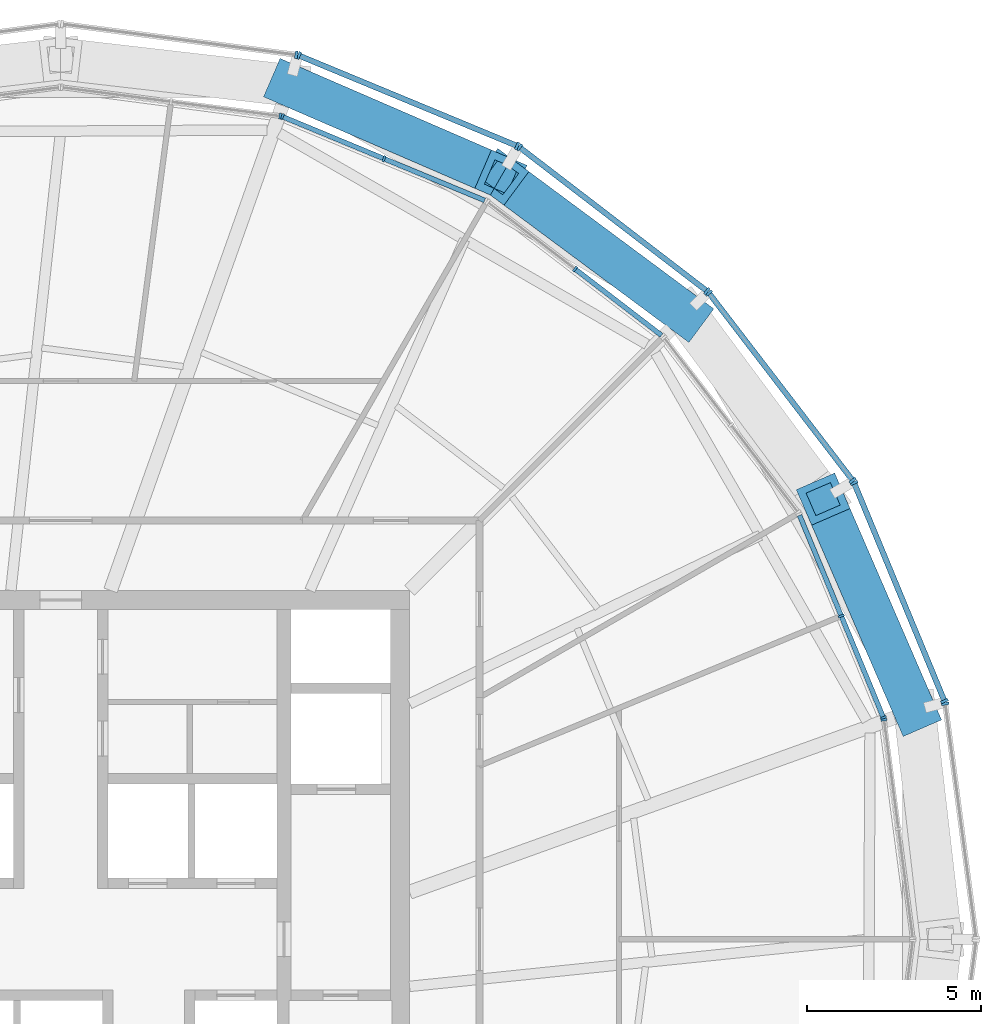
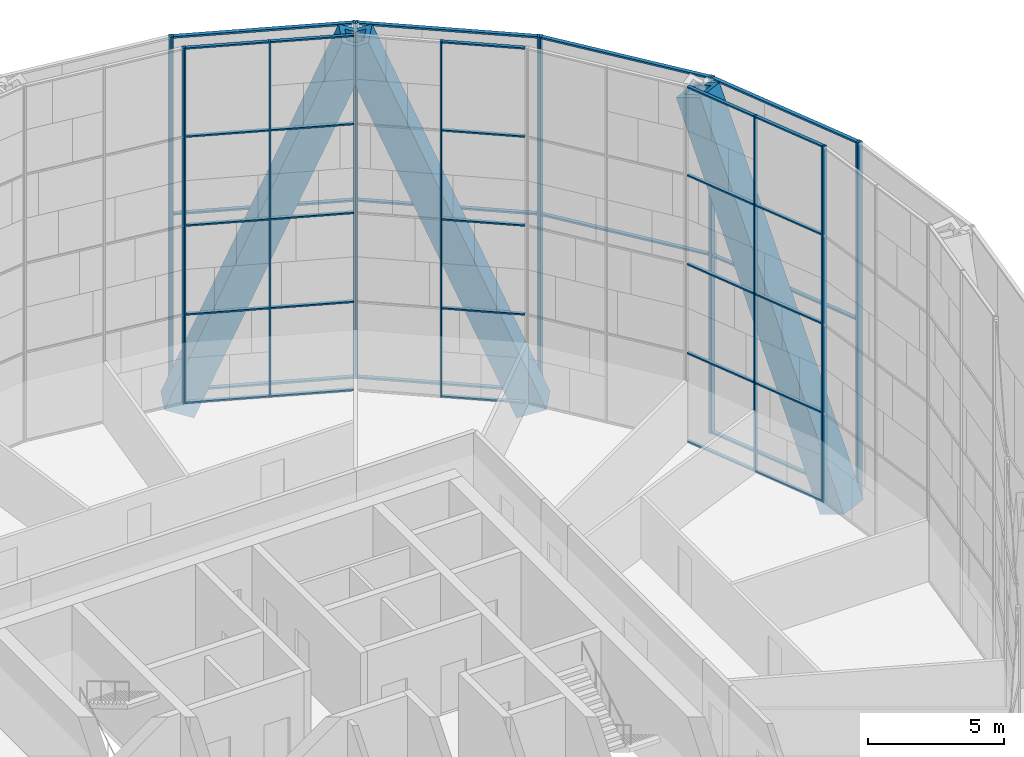
# One storey, part 11 of 28: 56 members, 11 elements without a shape of their own.
"""IFC4 building model written with IfcOpenShell, lengths in metres."""

from ifc_helpers import new_model, si_unit, direction, frame, origin, origin_2d, place, context, subcontext, project, spatial, rectangle, hollow_rectangle, extrude, material, material_profile, profile_set, type_object, element, aggregate, save


model = new_model("IFC4")

# Units and contexts
model_context = context("Model", 3, precision=1e-05, world=origin(), true_north=direction((0.0, 1.0)))
body_context = subcontext(model_context, "Body", "Model", "MODEL_VIEW")
ifc_project = project(units=[si_unit("LENGTHUNIT", "METRE"), si_unit("AREAUNIT", "SQUARE_METRE"), si_unit("VOLUMEUNIT", "CUBIC_METRE"), si_unit("PLANEANGLEUNIT", "RADIAN"), si_unit("MASSUNIT", "GRAM", prefix="KILO")], contexts=[model_context])

# Site, building, storey
site_placement = place(None, origin())
site = spatial("IfcSite", under=ifc_project, at=site_placement, CompositionType="ELEMENT")
building_placement = place(site_placement, origin())
building = spatial("IfcBuilding", under=site, at=building_placement, Name="Golbaran Civic Tower", CompositionType="ELEMENT")
storey_placement = place(building_placement, frame((0.0, 0.0, 134.0)))
storey = spatial("IfcBuildingStorey", under=building, at=storey_placement, Name="L32", CompositionType="ELEMENT", Elevation=134.0)

# Members
ifc_material_1 = material(Name="Steel S355", Category="steel")
ifc_material_profile_1 = material_profile(ifc_material_1, hollow_rectangle(XDim=1.199951171875, YDim=1.199951171875, WallThickness=0.219970703125, at=origin_2d()), Name="BOX 1200x1200x220")
ifc_profile_set_1 = profile_set([ifc_material_profile_1], Name="Steel S355")
member_type_1 = type_object("IfcMemberType", Name="DIAGRID DIAGONAL BOX 1200x1200x220", PredefinedType="BRACE", material=ifc_profile_set_1)
for number, where, z_axis, x_axis, name in (
    (1, (24.4765625, 6.55859375, -0.7099609375), (-0.151560578437, 0.350021010135, 0.924399634102), (-0.917665769882, -0.397353161289, 0.0), "Diagonal D07-00R L32-L36"),
    (2, (17.91796875, 17.91796875, -0.7099609375), (-0.306265484914, 0.227361182302, 0.924396205927), (-0.59607001815, -0.802932458843, 0.0), "Diagonal D07-01R L32-L36"),
    (3, (6.55859375, 24.4765625, -0.7099609375), (0.350021010135, -0.151560578437, 0.924399634102), (0.397353161289, 0.917665769882, 0.0), "Diagonal D07-02L L32-L36"),
):
    element("IfcMember", number, at=place(storey_placement, frame(where, z_axis=z_axis, x_axis=x_axis)), inside=storey, type_object=member_type_1, Name=name, PredefinedType="BRACE", context=body_context, shape_type="SweptSolid", body=[
        extrude(hollow_rectangle(XDim=1.199951171875, YDim=1.199951171875, WallThickness=0.219970703125, at=origin_2d()), origin(), (0.0, 0.0, 1.0), 17.30859375),
    ])

# Curtain wall, member
ifc_material_2 = material(Name="Aluminium and glass", Category="aluminium")
curtain_wall_type_1 = type_object("IfcCurtainWallType", Name="INNER SKIN CURTAIN WALL", PredefinedType="NOTDEFINED", material=ifc_material_2)
curtain_wall_1_placement = place(storey_placement, origin())
curtain_wall_1 = element("IfcCurtainWall", 4, at=curtain_wall_1_placement, inside=storey, type_object=curtain_wall_type_1, Name="Inner skin L32 facet 1 CW1", ObjectType="INNER SKIN", PredefinedType="USERDEFINED")
ifc_material_3 = material(Name="Aluminium", Category="aluminium")
ifc_material_profile_2 = material_profile(ifc_material_3, rectangle(XDim=0.179931640625, YDim=0.06494140625, at=origin_2d()), Name="INNER SKIN CURTAIN WALL MULLION")
ifc_profile_set_2 = profile_set([ifc_material_profile_2], Name="Aluminium")
member_type_2 = type_object("IfcMemberType", Name="INNER SKIN CURTAIN WALL MULLION", PredefinedType="MULLION", material=ifc_profile_set_2)
member_1_placement = place(storey_placement, frame((23.596923828125, 6.28955078125, 0.0), z_axis=(0.0, 0.0, 1.0), x_axis=(-0.991444861372, -0.130526192237, 0.0)))
member_1 = element("IfcMember", 5, at=member_1_placement, type_object=member_type_2, Name="CW1 mullion 3", PredefinedType="MULLION", context=body_context, shape_type="SweptSolid", body=[
    extrude(rectangle(XDim=0.179931640625, YDim=0.06494140625, at=origin_2d()), origin(), (0.0, 0.0, 1.0), 16.0),
])
aggregate(curtain_wall_1, [member_1])

# Curtain wall, members
curtain_wall_2_placement = place(storey_placement, origin())
curtain_wall_2 = element("IfcCurtainWall", 6, at=curtain_wall_2_placement, inside=storey, type_object=curtain_wall_type_1, Name="Inner skin L32 facet 2 CW1", ObjectType="INNER SKIN", PredefinedType="USERDEFINED")
member_2_placement = place(storey_placement, frame((23.580322265625, 6.3515625, 0.0), z_axis=(0.0, 0.0, 1.0), x_axis=(-0.923879532485, -0.38268343243, 0.0)))
member_2 = element("IfcMember", 7, at=member_2_placement, type_object=member_type_2, Name="CW1 mullion 1", PredefinedType="MULLION", context=body_context, shape_type="SweptSolid", body=[
    extrude(rectangle(XDim=0.179931640625, YDim=0.06494140625, at=origin_2d()), origin(), (0.0, 0.0, 1.0), 16.0),
])
member_3_placement = place(storey_placement, frame((22.372802734375, 9.26708984375, 0.0), z_axis=(0.0, 0.0, 1.0), x_axis=(-0.923879532485, -0.38268343243, 0.0)))
member_3 = element("IfcMember", 8, at=member_3_placement, type_object=member_type_2, Name="CW1 mullion 2", PredefinedType="MULLION", context=body_context, shape_type="SweptSolid", body=[
    extrude(rectangle(XDim=0.179931640625, YDim=0.06494140625, at=origin_2d()), origin(), (0.0, 0.0, 1.0), 16.0),
])

# Curtain wall, member
curtain_wall_3_placement = place(storey_placement, origin())
curtain_wall_3 = element("IfcCurtainWall", 9, at=curtain_wall_3_placement, inside=storey, type_object=curtain_wall_type_1, Name="Inner skin L32 facet 4 CW1", ObjectType="INNER SKIN", PredefinedType="USERDEFINED")
member_4_placement = place(storey_placement, frame((14.74169921875, 19.2119140625, 0.0), z_axis=(0.0, 0.0, 1.0), x_axis=(-0.60876142905, -0.793353340259, 0.0)))
member_4 = element("IfcMember", 10, at=member_4_placement, type_object=member_type_2, Name="CW1 mullion 2", PredefinedType="MULLION", context=body_context, shape_type="SweptSolid", body=[
    extrude(rectangle(XDim=0.179931640625, YDim=0.06494140625, at=origin_2d()), origin(), (0.0, 0.0, 1.0), 16.0),
])

# Curtain wall, members
curtain_wall_4_placement = place(storey_placement, origin())
curtain_wall_4 = element("IfcCurtainWall", 11, at=curtain_wall_4_placement, inside=storey, type_object=curtain_wall_type_1, Name="Inner skin L32 facet 5 CW1", ObjectType="INNER SKIN", PredefinedType="USERDEFINED")
member_5_placement = place(storey_placement, frame((9.26708984375, 22.372802734375, 0.0), z_axis=(0.0, 0.0, 1.0), x_axis=(-0.38268343243, -0.923879532485, 0.0)))
member_5 = element("IfcMember", 12, at=member_5_placement, type_object=member_type_2, Name="CW1 mullion 2", PredefinedType="MULLION", context=body_context, shape_type="SweptSolid", body=[
    extrude(rectangle(XDim=0.179931640625, YDim=0.06494140625, at=origin_2d()), origin(), (0.0, 0.0, 1.0), 16.0),
])
member_6_placement = place(storey_placement, frame((6.3515625, 23.580322265625, 0.0), z_axis=(0.0, 0.0, 1.0), x_axis=(-0.38268343243, -0.923879532485, 0.0)))
member_6 = element("IfcMember", 13, at=member_6_placement, type_object=member_type_2, Name="CW1 mullion 3", PredefinedType="MULLION", context=body_context, shape_type="SweptSolid", body=[
    extrude(rectangle(XDim=0.179931640625, YDim=0.06494140625, at=origin_2d()), origin(), (0.0, 0.0, 1.0), 16.0),
])

# Curtain wall, member
curtain_wall_5_placement = place(storey_placement, origin())
curtain_wall_5 = element("IfcCurtainWall", 14, at=curtain_wall_5_placement, inside=storey, type_object=curtain_wall_type_1, Name="Inner skin L32 facet 6 CW1", ObjectType="INNER SKIN", PredefinedType="USERDEFINED")
member_7_placement = place(storey_placement, frame((6.28955078125, 23.596923828125, 0.0), z_axis=(0.0, 0.0, 1.0), x_axis=(-0.130526192237, -0.991444861372, 0.0)))
member_7 = element("IfcMember", 15, at=member_7_placement, type_object=member_type_2, Name="CW1 mullion 1", PredefinedType="MULLION", context=body_context, shape_type="SweptSolid", body=[
    extrude(rectangle(XDim=0.179931640625, YDim=0.06494140625, at=origin_2d()), origin(), (0.0, 0.0, 1.0), 16.0),
])
aggregate(curtain_wall_5, [member_7])

# Member
ifc_material_profile_3 = material_profile(ifc_material_3, rectangle(XDim=0.139892578125, YDim=0.06494140625, at=origin_2d()), Name="INNER SKIN CURTAIN WALL TRANSOM")
ifc_profile_set_3 = profile_set([ifc_material_profile_3], Name="Aluminium")
member_type_3 = type_object("IfcMemberType", Name="INNER SKIN CURTAIN WALL TRANSOM", PredefinedType="USERDEFINED", material=ifc_profile_set_3)
member_8_placement = place(storey_placement, frame((23.56787109375, 6.381591796875, 0.032470703125), z_axis=(-0.382640157244, 0.923897456466, 0.0), x_axis=(-0.923897456466, -0.382640157244, 0.0)))
member_8 = element("IfcMember", 16, at=member_8_placement, type_object=member_type_3, Name="CW1 transom 1.1", ObjectType="TRANSOM", PredefinedType="USERDEFINED", context=body_context, shape_type="SweptSolid", body=[
    extrude(rectangle(XDim=0.139892578125, YDim=0.06494140625, at=origin_2d()), origin(), (0.0, 0.0, 1.0), 3.090576171875),
])

member_9_placement = place(storey_placement, frame((23.56787109375, 6.381591796875, 4.0), z_axis=(-0.382640157244, 0.923897456466, 0.0), x_axis=(-0.923897456466, -0.382640157244, 0.0)))
member_9 = element("IfcMember", 17, at=member_9_placement, type_object=member_type_3, Name="CW1 transom 1.2", ObjectType="TRANSOM", PredefinedType="USERDEFINED", context=body_context, shape_type="SweptSolid", body=[
    extrude(rectangle(XDim=0.139892578125, YDim=0.06494140625, at=origin_2d()), origin(), (0.0, 0.0, 1.0), 3.090576171875),
])

member_10_placement = place(storey_placement, frame((23.56787109375, 6.381591796875, 8.0), z_axis=(-0.382640157244, 0.923897456466, 0.0), x_axis=(-0.923897456466, -0.382640157244, 0.0)))
member_10 = element("IfcMember", 18, at=member_10_placement, type_object=member_type_3, Name="CW1 transom 1.3", ObjectType="TRANSOM", PredefinedType="USERDEFINED", context=body_context, shape_type="SweptSolid", body=[
    extrude(rectangle(XDim=0.139892578125, YDim=0.06494140625, at=origin_2d()), origin(), (0.0, 0.0, 1.0), 3.090576171875),
])

member_11_placement = place(storey_placement, frame((23.56787109375, 6.381591796875, 12.0), z_axis=(-0.382640157244, 0.923897456466, 0.0), x_axis=(-0.923897456466, -0.382640157244, 0.0)))
member_11 = element("IfcMember", 19, at=member_11_placement, type_object=member_type_3, Name="CW1 transom 1.4", ObjectType="TRANSOM", PredefinedType="USERDEFINED", context=body_context, shape_type="SweptSolid", body=[
    extrude(rectangle(XDim=0.139892578125, YDim=0.06494140625, at=origin_2d()), origin(), (0.0, 0.0, 1.0), 3.090576171875),
])

member_12_placement = place(storey_placement, frame((23.56787109375, 6.381591796875, 15.967529296875), z_axis=(-0.382640157244, 0.923897456466, 0.0), x_axis=(-0.923897456466, -0.382640157244, 0.0)))
member_12 = element("IfcMember", 20, at=member_12_placement, type_object=member_type_3, Name="CW1 transom 1.5", ObjectType="TRANSOM", PredefinedType="USERDEFINED", context=body_context, shape_type="SweptSolid", body=[
    extrude(rectangle(XDim=0.139892578125, YDim=0.06494140625, at=origin_2d()), origin(), (0.0, 0.0, 1.0), 3.090576171875),
])

member_13_placement = place(storey_placement, frame((22.3603515625, 9.297119140625, 0.032470703125), z_axis=(-0.382735511786, 0.923857958789, 0.0), x_axis=(-0.923857958789, -0.382735511786, 0.0)))
member_13 = element("IfcMember", 21, at=member_13_placement, type_object=member_type_3, Name="CW1 transom 2.1", ObjectType="TRANSOM", PredefinedType="USERDEFINED", context=body_context, shape_type="SweptSolid", body=[
    extrude(rectangle(XDim=0.139892578125, YDim=0.06494140625, at=origin_2d()), origin(), (0.0, 0.0, 1.0), 3.090576171875),
])

member_14_placement = place(storey_placement, frame((22.3603515625, 9.297119140625, 4.0), z_axis=(-0.382735511786, 0.923857958789, 0.0), x_axis=(-0.923857958789, -0.382735511786, 0.0)))
member_14 = element("IfcMember", 22, at=member_14_placement, type_object=member_type_3, Name="CW1 transom 2.2", ObjectType="TRANSOM", PredefinedType="USERDEFINED", context=body_context, shape_type="SweptSolid", body=[
    extrude(rectangle(XDim=0.139892578125, YDim=0.06494140625, at=origin_2d()), origin(), (0.0, 0.0, 1.0), 3.090576171875),
])

member_15_placement = place(storey_placement, frame((22.3603515625, 9.297119140625, 8.0), z_axis=(-0.382735511786, 0.923857958789, 0.0), x_axis=(-0.923857958789, -0.382735511786, 0.0)))
member_15 = element("IfcMember", 23, at=member_15_placement, type_object=member_type_3, Name="CW1 transom 2.3", ObjectType="TRANSOM", PredefinedType="USERDEFINED", context=body_context, shape_type="SweptSolid", body=[
    extrude(rectangle(XDim=0.139892578125, YDim=0.06494140625, at=origin_2d()), origin(), (0.0, 0.0, 1.0), 3.090576171875),
])

member_16_placement = place(storey_placement, frame((22.3603515625, 9.297119140625, 12.0), z_axis=(-0.382735511786, 0.923857958789, 0.0), x_axis=(-0.923857958789, -0.382735511786, 0.0)))
member_16 = element("IfcMember", 24, at=member_16_placement, type_object=member_type_3, Name="CW1 transom 2.4", ObjectType="TRANSOM", PredefinedType="USERDEFINED", context=body_context, shape_type="SweptSolid", body=[
    extrude(rectangle(XDim=0.139892578125, YDim=0.06494140625, at=origin_2d()), origin(), (0.0, 0.0, 1.0), 3.090576171875),
])

member_17_placement = place(storey_placement, frame((22.3603515625, 9.297119140625, 15.967529296875), z_axis=(-0.382735511786, 0.923857958789, 0.0), x_axis=(-0.923857958789, -0.382735511786, 0.0)))
member_17 = element("IfcMember", 25, at=member_17_placement, type_object=member_type_3, Name="CW1 transom 2.5", ObjectType="TRANSOM", PredefinedType="USERDEFINED", context=body_context, shape_type="SweptSolid", body=[
    extrude(rectangle(XDim=0.139892578125, YDim=0.06494140625, at=origin_2d()), origin(), (0.0, 0.0, 1.0), 3.090576171875),
])

aggregate(curtain_wall_2, [member_2, member_3, member_8, member_9, member_10, member_11, member_12, member_13, member_14, member_15, member_16, member_17])

member_18_placement = place(storey_placement, frame((17.219482421875, 17.310546875, 0.032470703125), z_axis=(-0.793325296464, 0.608797974693, 0.0), x_axis=(-0.608797974693, -0.793325296464, 0.0)))
member_18 = element("IfcMember", 26, at=member_18_placement, type_object=member_type_3, Name="CW1 transom 1.1", ObjectType="TRANSOM", PredefinedType="USERDEFINED", context=body_context, shape_type="SweptSolid", body=[
    extrude(rectangle(XDim=0.139892578125, YDim=0.06494140625, at=origin_2d()), origin(), (0.0, 0.0, 1.0), 3.090576171875),
])

member_19_placement = place(storey_placement, frame((17.219482421875, 17.310546875, 4.0), z_axis=(-0.793325296464, 0.608797974693, 0.0), x_axis=(-0.608797974693, -0.793325296464, 0.0)))
member_19 = element("IfcMember", 27, at=member_19_placement, type_object=member_type_3, Name="CW1 transom 1.2", ObjectType="TRANSOM", PredefinedType="USERDEFINED", context=body_context, shape_type="SweptSolid", body=[
    extrude(rectangle(XDim=0.139892578125, YDim=0.06494140625, at=origin_2d()), origin(), (0.0, 0.0, 1.0), 3.090576171875),
])

member_20_placement = place(storey_placement, frame((17.219482421875, 17.310546875, 8.0), z_axis=(-0.793325296464, 0.608797974693, 0.0), x_axis=(-0.608797974693, -0.793325296464, 0.0)))
member_20 = element("IfcMember", 28, at=member_20_placement, type_object=member_type_3, Name="CW1 transom 1.3", ObjectType="TRANSOM", PredefinedType="USERDEFINED", context=body_context, shape_type="SweptSolid", body=[
    extrude(rectangle(XDim=0.139892578125, YDim=0.06494140625, at=origin_2d()), origin(), (0.0, 0.0, 1.0), 3.090576171875),
])

member_21_placement = place(storey_placement, frame((17.219482421875, 17.310546875, 12.0), z_axis=(-0.793325296464, 0.608797974693, 0.0), x_axis=(-0.608797974693, -0.793325296464, 0.0)))
member_21 = element("IfcMember", 29, at=member_21_placement, type_object=member_type_3, Name="CW1 transom 1.4", ObjectType="TRANSOM", PredefinedType="USERDEFINED", context=body_context, shape_type="SweptSolid", body=[
    extrude(rectangle(XDim=0.139892578125, YDim=0.06494140625, at=origin_2d()), origin(), (0.0, 0.0, 1.0), 3.090576171875),
])

member_22_placement = place(storey_placement, frame((17.219482421875, 17.310546875, 15.967529296875), z_axis=(-0.793325296464, 0.608797974693, 0.0), x_axis=(-0.608797974693, -0.793325296464, 0.0)))
member_22 = element("IfcMember", 30, at=member_22_placement, type_object=member_type_3, Name="CW1 transom 1.5", ObjectType="TRANSOM", PredefinedType="USERDEFINED", context=body_context, shape_type="SweptSolid", body=[
    extrude(rectangle(XDim=0.139892578125, YDim=0.06494140625, at=origin_2d()), origin(), (0.0, 0.0, 1.0), 3.090576171875),
])

aggregate(curtain_wall_3, [member_4, member_18, member_19, member_20, member_21, member_22])

member_23_placement = place(storey_placement, frame((12.15234375, 21.177490234375, 0.032470703125), z_axis=(-0.923857958789, 0.382735511786, 0.0), x_axis=(-0.382735511786, -0.923857958789, 0.0)))
member_23 = element("IfcMember", 31, at=member_23_placement, type_object=member_type_3, Name="CW1 transom 1.1", ObjectType="TRANSOM", PredefinedType="USERDEFINED", context=body_context, shape_type="SweptSolid", body=[
    extrude(rectangle(XDim=0.139892578125, YDim=0.06494140625, at=origin_2d()), origin(), (0.0, 0.0, 1.0), 3.090576171875),
])

member_24_placement = place(storey_placement, frame((12.15234375, 21.177490234375, 4.0), z_axis=(-0.923857958789, 0.382735511786, 0.0), x_axis=(-0.382735511786, -0.923857958789, 0.0)))
member_24 = element("IfcMember", 32, at=member_24_placement, type_object=member_type_3, Name="CW1 transom 1.2", ObjectType="TRANSOM", PredefinedType="USERDEFINED", context=body_context, shape_type="SweptSolid", body=[
    extrude(rectangle(XDim=0.139892578125, YDim=0.06494140625, at=origin_2d()), origin(), (0.0, 0.0, 1.0), 3.090576171875),
])

member_25_placement = place(storey_placement, frame((12.15234375, 21.177490234375, 8.0), z_axis=(-0.923857958789, 0.382735511786, 0.0), x_axis=(-0.382735511786, -0.923857958789, 0.0)))
member_25 = element("IfcMember", 33, at=member_25_placement, type_object=member_type_3, Name="CW1 transom 1.3", ObjectType="TRANSOM", PredefinedType="USERDEFINED", context=body_context, shape_type="SweptSolid", body=[
    extrude(rectangle(XDim=0.139892578125, YDim=0.06494140625, at=origin_2d()), origin(), (0.0, 0.0, 1.0), 3.090576171875),
])

member_26_placement = place(storey_placement, frame((12.15234375, 21.177490234375, 12.0), z_axis=(-0.923857958789, 0.382735511786, 0.0), x_axis=(-0.382735511786, -0.923857958789, 0.0)))
member_26 = element("IfcMember", 34, at=member_26_placement, type_object=member_type_3, Name="CW1 transom 1.4", ObjectType="TRANSOM", PredefinedType="USERDEFINED", context=body_context, shape_type="SweptSolid", body=[
    extrude(rectangle(XDim=0.139892578125, YDim=0.06494140625, at=origin_2d()), origin(), (0.0, 0.0, 1.0), 3.090576171875),
])

member_27_placement = place(storey_placement, frame((12.15234375, 21.177490234375, 15.967529296875), z_axis=(-0.923857958789, 0.382735511786, 0.0), x_axis=(-0.382735511786, -0.923857958789, 0.0)))
member_27 = element("IfcMember", 35, at=member_27_placement, type_object=member_type_3, Name="CW1 transom 1.5", ObjectType="TRANSOM", PredefinedType="USERDEFINED", context=body_context, shape_type="SweptSolid", body=[
    extrude(rectangle(XDim=0.139892578125, YDim=0.06494140625, at=origin_2d()), origin(), (0.0, 0.0, 1.0), 3.090576171875),
])

member_28_placement = place(storey_placement, frame((9.237060546875, 22.38525390625, 0.032470703125), z_axis=(-0.923897456466, 0.382640157244, 0.0), x_axis=(-0.382640157244, -0.923897456466, 0.0)))
member_28 = element("IfcMember", 36, at=member_28_placement, type_object=member_type_3, Name="CW1 transom 2.1", ObjectType="TRANSOM", PredefinedType="USERDEFINED", context=body_context, shape_type="SweptSolid", body=[
    extrude(rectangle(XDim=0.139892578125, YDim=0.06494140625, at=origin_2d()), origin(), (0.0, 0.0, 1.0), 3.090576171875),
])

member_29_placement = place(storey_placement, frame((9.237060546875, 22.38525390625, 4.0), z_axis=(-0.923897456466, 0.382640157244, 0.0), x_axis=(-0.382640157244, -0.923897456466, 0.0)))
member_29 = element("IfcMember", 37, at=member_29_placement, type_object=member_type_3, Name="CW1 transom 2.2", ObjectType="TRANSOM", PredefinedType="USERDEFINED", context=body_context, shape_type="SweptSolid", body=[
    extrude(rectangle(XDim=0.139892578125, YDim=0.06494140625, at=origin_2d()), origin(), (0.0, 0.0, 1.0), 3.090576171875),
])

member_30_placement = place(storey_placement, frame((9.237060546875, 22.38525390625, 8.0), z_axis=(-0.923897456466, 0.382640157244, 0.0), x_axis=(-0.382640157244, -0.923897456466, 0.0)))
member_30 = element("IfcMember", 38, at=member_30_placement, type_object=member_type_3, Name="CW1 transom 2.3", ObjectType="TRANSOM", PredefinedType="USERDEFINED", context=body_context, shape_type="SweptSolid", body=[
    extrude(rectangle(XDim=0.139892578125, YDim=0.06494140625, at=origin_2d()), origin(), (0.0, 0.0, 1.0), 3.090576171875),
])

member_31_placement = place(storey_placement, frame((9.237060546875, 22.38525390625, 12.0), z_axis=(-0.923897456466, 0.382640157244, 0.0), x_axis=(-0.382640157244, -0.923897456466, 0.0)))
member_31 = element("IfcMember", 39, at=member_31_placement, type_object=member_type_3, Name="CW1 transom 2.4", ObjectType="TRANSOM", PredefinedType="USERDEFINED", context=body_context, shape_type="SweptSolid", body=[
    extrude(rectangle(XDim=0.139892578125, YDim=0.06494140625, at=origin_2d()), origin(), (0.0, 0.0, 1.0), 3.090576171875),
])

member_32_placement = place(storey_placement, frame((9.237060546875, 22.38525390625, 15.967529296875), z_axis=(-0.923897456466, 0.382640157244, 0.0), x_axis=(-0.382640157244, -0.923897456466, 0.0)))
member_32 = element("IfcMember", 40, at=member_32_placement, type_object=member_type_3, Name="CW1 transom 2.5", ObjectType="TRANSOM", PredefinedType="USERDEFINED", context=body_context, shape_type="SweptSolid", body=[
    extrude(rectangle(XDim=0.139892578125, YDim=0.06494140625, at=origin_2d()), origin(), (0.0, 0.0, 1.0), 3.090576171875),
])

aggregate(curtain_wall_4, [member_5, member_6, member_23, member_24, member_25, member_26, member_27, member_28, member_29, member_30, member_31, member_32])

# Curtain wall, member
curtain_wall_type_2 = type_object("IfcCurtainWallType", Name="OUTER SKIN TERRACOTTA SCREEN", PredefinedType="NOTDEFINED", material=ifc_material_2)
curtain_wall_6_placement = place(storey_placement, origin())
curtain_wall_6 = element("IfcCurtainWall", 41, at=curtain_wall_6_placement, inside=storey, type_object=curtain_wall_type_2, Name="Outer skin L32 facet 1 CW3", ObjectType="OUTER SKIN", PredefinedType="USERDEFINED")
ifc_material_profile_4 = material_profile(ifc_material_3, rectangle(XDim=0.219970703125, YDim=0.080078125, at=origin_2d()), Name="OUTER SKIN TERRACOTTA SCREEN MULLION")
ifc_profile_set_4 = profile_set([ifc_material_profile_4], Name="Aluminium")
member_type_4 = type_object("IfcMemberType", Name="OUTER SKIN TERRACOTTA SCREEN MULLION", PredefinedType="MULLION", material=ifc_profile_set_4)
member_33_placement = place(storey_placement, frame((25.35107421875, 6.751708984375, -0.7099609375), z_axis=(0.0, 0.0, 1.0), x_axis=(-0.991444861376, -0.130526192203, 0.0)))
member_33 = element("IfcMember", 42, at=member_33_placement, type_object=member_type_4, Name="CW3 mullion 2", PredefinedType="MULLION", context=body_context, shape_type="SweptSolid", body=[
    extrude(rectangle(XDim=0.219970703125, YDim=0.080078125, at=origin_2d()), origin(), (0.0, 0.0, 1.0), 16.0),
])
aggregate(curtain_wall_6, [member_33])

# Curtain wall, members
curtain_wall_7_placement = place(storey_placement, origin())
curtain_wall_7 = element("IfcCurtainWall", 43, at=curtain_wall_7_placement, inside=storey, type_object=curtain_wall_type_2, Name="Outer skin L32 facet 2 CW3", ObjectType="OUTER SKIN", PredefinedType="USERDEFINED")
member_34_placement = place(storey_placement, frame((25.33056640625, 6.828369140625, -0.7099609375), z_axis=(0.0, 0.0, 1.0), x_axis=(-0.923879532498, -0.382683432397, 0.0)))
member_34 = element("IfcMember", 44, at=member_34_placement, type_object=member_type_4, Name="CW3 mullion 1", PredefinedType="MULLION", context=body_context, shape_type="SweptSolid", body=[
    extrude(rectangle(XDim=0.219970703125, YDim=0.080078125, at=origin_2d()), origin(), (0.0, 0.0, 1.0), 16.0),
])
member_35_placement = place(storey_placement, frame((22.73974609375, 13.0830078125, -0.7099609375), z_axis=(0.0, 0.0, 1.0), x_axis=(-0.923879532498, -0.382683432397, 0.0)))
member_35 = element("IfcMember", 45, at=member_35_placement, type_object=member_type_4, Name="CW3 mullion 2", PredefinedType="MULLION", context=body_context, shape_type="SweptSolid", body=[
    extrude(rectangle(XDim=0.219970703125, YDim=0.080078125, at=origin_2d()), origin(), (0.0, 0.0, 1.0), 16.0),
])

curtain_wall_8_placement = place(storey_placement, origin())
curtain_wall_8 = element("IfcCurtainWall", 46, at=curtain_wall_8_placement, inside=storey, type_object=curtain_wall_type_2, Name="Outer skin L32 facet 3 CW3", ObjectType="OUTER SKIN", PredefinedType="USERDEFINED")
member_36_placement = place(storey_placement, frame((22.7001953125, 13.15185546875, -0.7099609375), z_axis=(0.0, 0.0, 1.0), x_axis=(-0.79335334027, -0.608761429036, 0.0)))
member_36 = element("IfcMember", 47, at=member_36_placement, type_object=member_type_4, Name="CW3 mullion 1", PredefinedType="MULLION", context=body_context, shape_type="SweptSolid", body=[
    extrude(rectangle(XDim=0.219970703125, YDim=0.080078125, at=origin_2d()), origin(), (0.0, 0.0, 1.0), 16.0),
])
member_37_placement = place(storey_placement, frame((18.578857421875, 18.522705078125, -0.7099609375), z_axis=(0.0, 0.0, 1.0), x_axis=(-0.79335334027, -0.608761429036, 0.0)))
member_37 = element("IfcMember", 48, at=member_37_placement, type_object=member_type_4, Name="CW3 mullion 2", PredefinedType="MULLION", context=body_context, shape_type="SweptSolid", body=[
    extrude(rectangle(XDim=0.219970703125, YDim=0.080078125, at=origin_2d()), origin(), (0.0, 0.0, 1.0), 16.0),
])

curtain_wall_9_placement = place(storey_placement, origin())
curtain_wall_9 = element("IfcCurtainWall", 49, at=curtain_wall_9_placement, inside=storey, type_object=curtain_wall_type_2, Name="Outer skin L32 facet 4 CW3", ObjectType="OUTER SKIN", PredefinedType="USERDEFINED")
member_38_placement = place(storey_placement, frame((18.522705078125, 18.578857421875, -0.7099609375), z_axis=(0.0, 0.0, 1.0), x_axis=(-0.608761429036, -0.79335334027, 0.0)))
member_38 = element("IfcMember", 50, at=member_38_placement, type_object=member_type_4, Name="CW3 mullion 1", PredefinedType="MULLION", context=body_context, shape_type="SweptSolid", body=[
    extrude(rectangle(XDim=0.219970703125, YDim=0.080078125, at=origin_2d()), origin(), (0.0, 0.0, 1.0), 16.0),
])
member_39_placement = place(storey_placement, frame((13.15185546875, 22.7001953125, -0.7099609375), z_axis=(0.0, 0.0, 1.0), x_axis=(-0.608761429036, -0.79335334027, 0.0)))
member_39 = element("IfcMember", 51, at=member_39_placement, type_object=member_type_4, Name="CW3 mullion 2", PredefinedType="MULLION", context=body_context, shape_type="SweptSolid", body=[
    extrude(rectangle(XDim=0.219970703125, YDim=0.080078125, at=origin_2d()), origin(), (0.0, 0.0, 1.0), 16.0),
])

curtain_wall_10_placement = place(storey_placement, origin())
curtain_wall_10 = element("IfcCurtainWall", 52, at=curtain_wall_10_placement, inside=storey, type_object=curtain_wall_type_2, Name="Outer skin L32 facet 5 CW3", ObjectType="OUTER SKIN", PredefinedType="USERDEFINED")
member_40_placement = place(storey_placement, frame((13.0830078125, 22.73974609375, -0.7099609375), z_axis=(0.0, 0.0, 1.0), x_axis=(-0.382683432397, -0.923879532498, 0.0)))
member_40 = element("IfcMember", 53, at=member_40_placement, type_object=member_type_4, Name="CW3 mullion 1", PredefinedType="MULLION", context=body_context, shape_type="SweptSolid", body=[
    extrude(rectangle(XDim=0.219970703125, YDim=0.080078125, at=origin_2d()), origin(), (0.0, 0.0, 1.0), 16.0),
])
member_41_placement = place(storey_placement, frame((6.828369140625, 25.33056640625, -0.7099609375), z_axis=(0.0, 0.0, 1.0), x_axis=(-0.382683432397, -0.923879532498, 0.0)))
member_41 = element("IfcMember", 54, at=member_41_placement, type_object=member_type_4, Name="CW3 mullion 2", PredefinedType="MULLION", context=body_context, shape_type="SweptSolid", body=[
    extrude(rectangle(XDim=0.219970703125, YDim=0.080078125, at=origin_2d()), origin(), (0.0, 0.0, 1.0), 16.0),
])

# Curtain wall, member
curtain_wall_11_placement = place(storey_placement, origin())
curtain_wall_11 = element("IfcCurtainWall", 55, at=curtain_wall_11_placement, inside=storey, type_object=curtain_wall_type_2, Name="Outer skin L32 facet 6 CW3", ObjectType="OUTER SKIN", PredefinedType="USERDEFINED")
member_42_placement = place(storey_placement, frame((6.751708984375, 25.35107421875, -0.7099609375), z_axis=(0.0, 0.0, 1.0), x_axis=(-0.130526192203, -0.991444861376, 0.0)))
member_42 = element("IfcMember", 56, at=member_42_placement, type_object=member_type_4, Name="CW3 mullion 1", PredefinedType="MULLION", context=body_context, shape_type="SweptSolid", body=[
    extrude(rectangle(XDim=0.219970703125, YDim=0.080078125, at=origin_2d()), origin(), (0.0, 0.0, 1.0), 16.0),
])
aggregate(curtain_wall_11, [member_42])

# Member
ifc_material_profile_5 = material_profile(ifc_material_3, rectangle(XDim=0.159912109375, YDim=0.080078125, at=origin_2d()), Name="OUTER SKIN TERRACOTTA SCREEN TRANSOM")
ifc_profile_set_5 = profile_set([ifc_material_profile_5], Name="Aluminium")
member_type_5 = type_object("IfcMemberType", Name="OUTER SKIN TERRACOTTA SCREEN TRANSOM", PredefinedType="USERDEFINED", material=ifc_profile_set_5)
member_43_placement = place(storey_placement, frame((25.315185546875, 6.865234375, -0.669921875), z_axis=(-0.382663348985, 0.923887851064, 0.0), x_axis=(-0.923887851064, -0.382663348985, 0.0)))
member_43 = element("IfcMember", 57, at=member_43_placement, type_object=member_type_5, Name="CW3 transom 1.1", ObjectType="TRANSOM", PredefinedType="USERDEFINED", context=body_context, shape_type="SweptSolid", body=[
    extrude(rectangle(XDim=0.159912109375, YDim=0.080078125, at=origin_2d()), origin(), (0.0, 0.0, 1.0), 6.690185546875),
])

member_44_placement = place(storey_placement, frame((25.315185546875, 6.865234375, 7.2900390625), z_axis=(-0.382663348985, 0.923887851064, 0.0), x_axis=(-0.923887851064, -0.382663348985, 0.0)))
member_44 = element("IfcMember", 58, at=member_44_placement, type_object=member_type_5, Name="CW3 transom 1.2", ObjectType="TRANSOM", PredefinedType="USERDEFINED", context=body_context, shape_type="SweptSolid", body=[
    extrude(rectangle(XDim=0.159912109375, YDim=0.080078125, at=origin_2d()), origin(), (0.0, 0.0, 1.0), 6.690185546875),
])

member_45_placement = place(storey_placement, frame((25.315185546875, 6.865234375, 15.25), z_axis=(-0.382663348985, 0.923887851064, 0.0), x_axis=(-0.923887851064, -0.382663348985, 0.0)))
member_45 = element("IfcMember", 59, at=member_45_placement, type_object=member_type_5, Name="CW3 transom 1.3", ObjectType="TRANSOM", PredefinedType="USERDEFINED", context=body_context, shape_type="SweptSolid", body=[
    extrude(rectangle(XDim=0.159912109375, YDim=0.080078125, at=origin_2d()), origin(), (0.0, 0.0, 1.0), 6.690185546875),
])

aggregate(curtain_wall_7, [member_34, member_35, member_43, member_44, member_45])

member_46_placement = place(storey_placement, frame((22.67578125, 13.183349609375, 7.2900390625), z_axis=(-0.608745609527, 0.793365478756, 0.0), x_axis=(-0.793365478756, -0.608745609527, 0.0)))
member_46 = element("IfcMember", 60, at=member_46_placement, type_object=member_type_5, Name="CW3 transom 1.2", ObjectType="TRANSOM", PredefinedType="USERDEFINED", context=body_context, shape_type="SweptSolid", body=[
    extrude(rectangle(XDim=0.159912109375, YDim=0.080078125, at=origin_2d()), origin(), (0.0, 0.0, 1.0), 6.68994140625),
])

member_47_placement = place(storey_placement, frame((22.67578125, 13.183349609375, 15.25), z_axis=(-0.608745609527, 0.793365478756, 0.0), x_axis=(-0.793365478756, -0.608745609527, 0.0)))
member_47 = element("IfcMember", 61, at=member_47_placement, type_object=member_type_5, Name="CW3 transom 1.3", ObjectType="TRANSOM", PredefinedType="USERDEFINED", context=body_context, shape_type="SweptSolid", body=[
    extrude(rectangle(XDim=0.159912109375, YDim=0.080078125, at=origin_2d()), origin(), (0.0, 0.0, 1.0), 6.68994140625),
])

aggregate(curtain_wall_8, [member_36, member_37, member_46, member_47])

member_48_placement = place(storey_placement, frame((18.490966796875, 18.603271484375, -0.669921875), z_axis=(-0.793365478756, 0.608745609527, 0.0), x_axis=(-0.608745609527, -0.793365478756, 0.0)))
member_48 = element("IfcMember", 62, at=member_48_placement, type_object=member_type_5, Name="CW3 transom 1.1", ObjectType="TRANSOM", PredefinedType="USERDEFINED", context=body_context, shape_type="SweptSolid", body=[
    extrude(rectangle(XDim=0.159912109375, YDim=0.080078125, at=origin_2d()), origin(), (0.0, 0.0, 1.0), 6.68994140625),
])

member_49_placement = place(storey_placement, frame((18.490966796875, 18.603271484375, 7.2900390625), z_axis=(-0.793365478756, 0.608745609527, 0.0), x_axis=(-0.608745609527, -0.793365478756, 0.0)))
member_49 = element("IfcMember", 63, at=member_49_placement, type_object=member_type_5, Name="CW3 transom 1.2", ObjectType="TRANSOM", PredefinedType="USERDEFINED", context=body_context, shape_type="SweptSolid", body=[
    extrude(rectangle(XDim=0.159912109375, YDim=0.080078125, at=origin_2d()), origin(), (0.0, 0.0, 1.0), 6.68994140625),
])

member_50_placement = place(storey_placement, frame((18.490966796875, 18.603271484375, 15.25), z_axis=(-0.793365478756, 0.608745609527, 0.0), x_axis=(-0.608745609527, -0.793365478756, 0.0)))
member_50 = element("IfcMember", 64, at=member_50_placement, type_object=member_type_5, Name="CW3 transom 1.3", ObjectType="TRANSOM", PredefinedType="USERDEFINED", context=body_context, shape_type="SweptSolid", body=[
    extrude(rectangle(XDim=0.159912109375, YDim=0.080078125, at=origin_2d()), origin(), (0.0, 0.0, 1.0), 6.68994140625),
])

aggregate(curtain_wall_9, [member_38, member_39, member_48, member_49, member_50])

member_51_placement = place(storey_placement, frame((13.046142578125, 22.755126953125, -0.669921875), z_axis=(-0.923887851064, 0.382663348985, 0.0), x_axis=(-0.382663348985, -0.923887851064, 0.0)))
member_51 = element("IfcMember", 65, at=member_51_placement, type_object=member_type_5, Name="CW3 transom 1.1", ObjectType="TRANSOM", PredefinedType="USERDEFINED", context=body_context, shape_type="SweptSolid", body=[
    extrude(rectangle(XDim=0.159912109375, YDim=0.080078125, at=origin_2d()), origin(), (0.0, 0.0, 1.0), 6.690185546875),
])

member_52_placement = place(storey_placement, frame((13.046142578125, 22.755126953125, 7.2900390625), z_axis=(-0.923887851064, 0.382663348985, 0.0), x_axis=(-0.382663348985, -0.923887851064, 0.0)))
member_52 = element("IfcMember", 66, at=member_52_placement, type_object=member_type_5, Name="CW3 transom 1.2", ObjectType="TRANSOM", PredefinedType="USERDEFINED", context=body_context, shape_type="SweptSolid", body=[
    extrude(rectangle(XDim=0.159912109375, YDim=0.080078125, at=origin_2d()), origin(), (0.0, 0.0, 1.0), 6.690185546875),
])

member_53_placement = place(storey_placement, frame((13.046142578125, 22.755126953125, 15.25), z_axis=(-0.923887851064, 0.382663348985, 0.0), x_axis=(-0.382663348985, -0.923887851064, 0.0)))
member_53 = element("IfcMember", 67, at=member_53_placement, type_object=member_type_5, Name="CW3 transom 1.3", ObjectType="TRANSOM", PredefinedType="USERDEFINED", context=body_context, shape_type="SweptSolid", body=[
    extrude(rectangle(XDim=0.159912109375, YDim=0.080078125, at=origin_2d()), origin(), (0.0, 0.0, 1.0), 6.690185546875),
])

aggregate(curtain_wall_10, [member_40, member_41, member_51, member_52, member_53])

save(model, "model.ifc")
